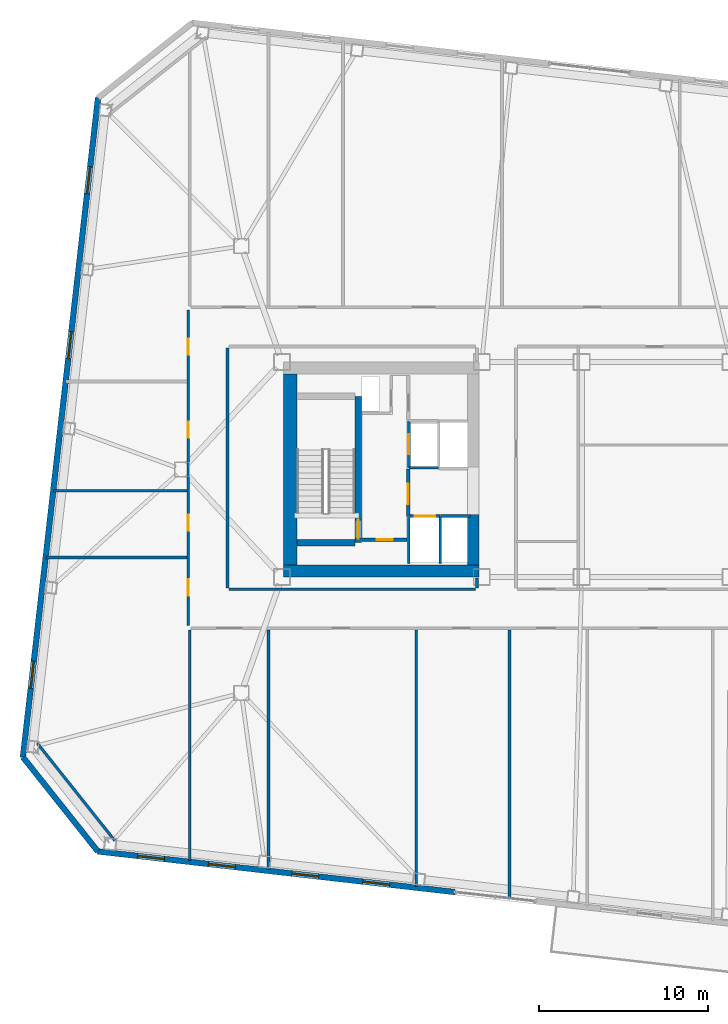
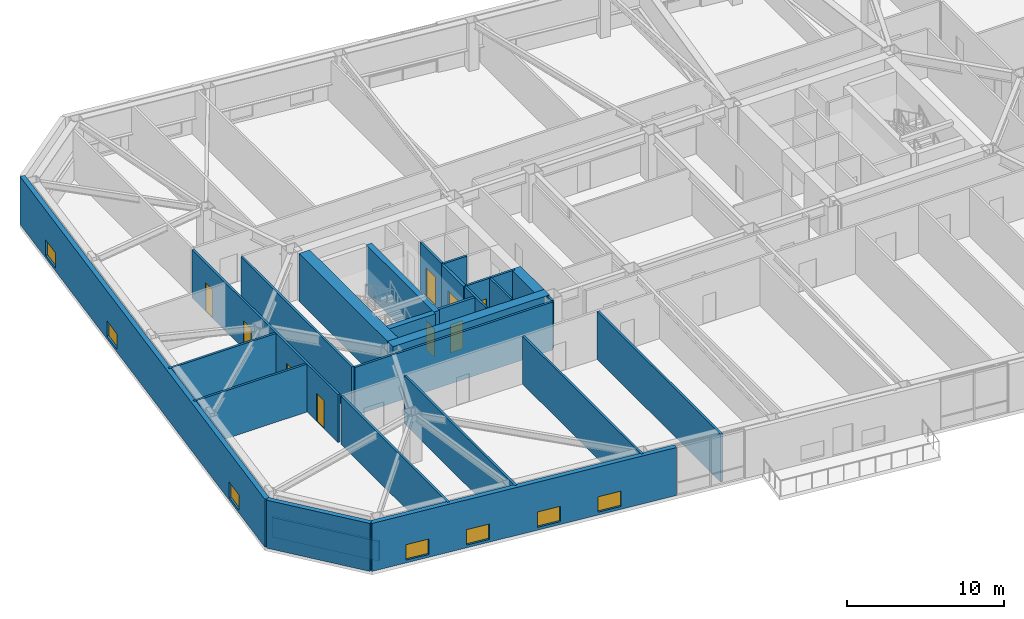
# One storey, part 11 of 21: 27 walls, 9 doors, 7 windows, 16 openings.
"""IFC4 building model written with IfcOpenShell, lengths in metres."""

from ifc_helpers import new_model, si_unit, direction, frame, frame_2d, origin, place, context, subcontext, project, spatial, rectangle, extrude, material, layer, layer_set, type_object, element, fill, save


model = new_model("IFC4")

# Units and contexts
model_context = context("Model", 3, precision=1e-05, world=origin(), true_north=direction((0.0, 1.0)))
body_context = subcontext(model_context, "Body", "Model", "MODEL_VIEW")
ifc_project = project(units=[si_unit("LENGTHUNIT", "METRE"), si_unit("AREAUNIT", "SQUARE_METRE"), si_unit("VOLUMEUNIT", "CUBIC_METRE"), si_unit("PLANEANGLEUNIT", "RADIAN"), si_unit("MASSUNIT", "GRAM", prefix="KILO")], contexts=[model_context])

# Site, building, storey
site_placement = place(None, origin())
site = spatial("IfcSite", under=ifc_project, at=site_placement, CompositionType="ELEMENT")
building_placement = place(site_placement, origin())
building = spatial("IfcBuilding", under=site, at=building_placement, Name="Tavrogorsk Clinical Tower", CompositionType="ELEMENT")
storey_placement = place(building_placement, frame((0.0, 0.0, 109.39990234375)))
storey = spatial("IfcBuildingStorey", under=building, at=storey_placement, Name="L24", CompositionType="ELEMENT", Elevation=109.39990234375)

# Wall, opening, door
ifc_material_1 = material(Name="Concrete B60", Category="concrete")
ifc_layer_1 = layer(ifc_material_1, 0.199951171875)
ifc_layer_set_1 = layer_set([ifc_layer_1], Name="Concrete B60")
wall_type_1 = type_object("IfcWallType", Name="CoreFireWall_200", PredefinedType="SOLIDWALL", material=ifc_layer_set_1)
wall_1_placement = place(storey_placement, frame((-17.3798828125, -4.139892578125, 0.0), z_axis=(0.0, 0.0, 1.0), x_axis=(1.0, 0.0, 0.0)))
wall_1 = element("IfcWall", 1, at=wall_1_placement, inside=storey, type_object=wall_type_1, Name="L24 Core West South Core Room Fire Wall", PredefinedType="SOLIDWALL", context=body_context, shape_type="SweptSolid", body=[
    extrude(rectangle(XDim=2.659912109375, YDim=0.199951171875, at=frame_2d((1.330078125, 0.0))), origin(), (0.0, 0.0, 1.0), 3.739990234375),
])
opening_1_placement = place(wall_1_placement, frame((0.8798828125, 0.0, 0.0)))
opening_1 = element("IfcOpeningElement", 2, at=opening_1_placement, cuts=wall_1, Name="Opening ID-02", PredefinedType="OPENING", context=body_context, shape_type="SweptSolid", body=[
    extrude(rectangle(XDim=0.949951171875, YDim=2.199951171875, at=frame_2d((0.47509765625, 1.10009765625))), frame((0.0, 0.10986328125, 0.0), z_axis=(0.0, -1.0, 0.0), x_axis=(1.0, 0.0, 0.0)), (0.0, 0.0, 1.0), 0.219970703125),
])
ifc_material_2 = material(Name="Laminated timber leaf on aluminium frame", Category="wood")
door_type_1 = type_object("IfcDoorType", Name="InteriorDoor_ID02_950", OperationType="NOTDEFINED", PredefinedType="DOOR", material=ifc_material_2)
door_1_placement = place(opening_1_placement, origin())
door_1 = element("IfcDoor", 3, at=door_1_placement, inside=storey, type_object=door_type_1, Name="L24 Core West South Core Room Door", OperationType="SINGLE_SWING_RIGHT", OverallHeight=2.199951171875, OverallWidth=0.949951171875, PredefinedType="DOOR", context=body_context, shape_type="SweptSolid", body=[
    extrude(rectangle(XDim=0.949951171875, YDim=2.199951171875, at=frame_2d((0.47509765625, 1.10009765625))), frame((0.0, 0.02490234375, 0.0), z_axis=(0.0, -1.0, 0.0), x_axis=(1.0, 0.0, 0.0)), (0.0, 0.0, 1.0), 0.050048828125),
])
fill(opening_1, door_1)

wall_2_placement = place(storey_placement, frame((-14.639892578125, -2.780029296875, 0.0), z_axis=(0.0, 0.0, 1.0), x_axis=(0.0, 1.0, 0.0)))
wall_2 = element("IfcWall", 4, at=wall_2_placement, inside=storey, type_object=wall_type_1, Name="L24 Core West Firefighting Lobby Fire Wall", PredefinedType="SOLIDWALL", context=body_context, shape_type="SweptSolid", body=[
    extrude(rectangle(XDim=2.820068359375, YDim=0.199951171875, at=frame_2d((1.41015625, 0.0))), origin(), (0.0, 0.0, 1.0), 3.739990234375),
])
opening_2_placement = place(wall_2_placement, frame((0.72998046875, 0.0, 0.0)))
opening_2 = element("IfcOpeningElement", 5, at=opening_2_placement, cuts=wall_2, Name="Opening FD-01", PredefinedType="OPENING", context=body_context, shape_type="SweptSolid", body=[
    extrude(rectangle(XDim=1.199951171875, YDim=2.199951171875, at=frame_2d((0.60009765625, 1.10009765625))), frame((0.0, 0.10986328125, 0.0), z_axis=(0.0, -1.0, 0.0), x_axis=(1.0, 0.0, 0.0)), (0.0, 0.0, 1.0), 0.219970703125),
])
ifc_material_3 = material(Name="Galvanised steel fire-rated door assembly", Category="steel")
door_type_2 = type_object("IfcDoorType", Name="FireDoor_FD01_1200", OperationType="NOTDEFINED", PredefinedType="DOOR", material=ifc_material_3)
door_2_placement = place(opening_2_placement, origin())
door_2 = element("IfcDoor", 6, at=door_2_placement, inside=storey, type_object=door_type_2, Name="L24 Core West Firefighting Lobby Entry Door", OperationType="SINGLE_SWING_RIGHT", OverallHeight=2.199951171875, OverallWidth=1.199951171875, PredefinedType="DOOR", context=body_context, shape_type="SweptSolid", body=[
    extrude(rectangle(XDim=1.199951171875, YDim=2.199951171875, at=frame_2d((0.60009765625, 1.10009765625))), frame((0.0, 0.02490234375, 0.0), z_axis=(0.0, -1.0, 0.0), x_axis=(1.0, 0.0, 0.0)), (0.0, 0.0, 1.0), 0.050048828125),
])
fill(opening_2, door_2)

# Wall
ifc_material_4 = material(Name="Lightweight concrete blockwork B15", Category="masonry")
ifc_layer_2 = layer(ifc_material_4, 0.159912109375)
ifc_layer_set_2 = layer_set([ifc_layer_2], Name="Lightweight concrete blockwork B15")
wall_type_2 = type_object("IfcWallType", Name="PartitionWall_160", PredefinedType="PARTITIONING", material=ifc_layer_set_2)
wall_3_placement = place(storey_placement, frame((-36.555908203125, -16.161865234375, 0.0), z_axis=(0.0, 0.0, 1.0), x_axis=(0.622522641622, -0.782601789334, 0.0)))
element("IfcWall", 7, at=wall_3_placement, inside=storey, type_object=wall_type_2, Name="L24 Corner Exoskeleton Brace Furring Wall 4", PredefinedType="PARTITIONING", context=body_context, shape_type="SweptSolid", body=[
    extrude(rectangle(XDim=7.354248046875, YDim=0.159912109375, at=frame_2d((3.67724609375, 0.0))), origin(), (0.0, 0.0, 1.0), 1.53515625),
])

# Wall, openings, doors
wall_4_placement = place(storey_placement, frame((-27.6298828125, -9.215087890625, 0.0), z_axis=(0.0, 0.0, 1.0), x_axis=(0.0, 1.0, 0.0)))
wall_4 = element("IfcWall", 8, at=wall_4_placement, inside=storey, type_object=wall_type_2, Name="L24 Corridor Partition 01", PredefinedType="PARTITIONING", context=body_context, shape_type="SweptSolid", body=[
    extrude(rectangle(XDim=18.630126953125, YDim=0.159912109375, at=frame_2d((9.31494140625, 0.0))), origin(), (0.0, 0.0, 1.0), 3.739990234375),
])
opening_3_placement = place(wall_4_placement, frame((1.76904296875, 0.0, 0.0)))
opening_3 = element("IfcOpeningElement", 9, at=opening_3_placement, cuts=wall_4, Name="Opening ID-02", PredefinedType="OPENING", context=body_context, shape_type="SweptSolid", body=[
    extrude(rectangle(XDim=0.949951171875, YDim=2.199951171875, at=frame_2d((0.47509765625, 1.10009765625))), frame((0.0, 0.08984375, 0.0), z_axis=(0.0, -1.0, 0.0), x_axis=(1.0, 0.0, 0.0)), (0.0, 0.0, 1.0), 0.179931640625),
])
opening_4_placement = place(wall_4_placement, frame((5.60009765625, 0.0, 0.0)))
opening_4 = element("IfcOpeningElement", 10, at=opening_4_placement, cuts=wall_4, Name="Opening ID-02", PredefinedType="OPENING", context=body_context, shape_type="SweptSolid", body=[
    extrude(rectangle(XDim=0.949951171875, YDim=2.199951171875, at=frame_2d((0.47509765625, 1.10009765625))), frame((0.0, 0.08984375, 0.0), z_axis=(0.0, -1.0, 0.0), x_axis=(1.0, 0.0, 0.0)), (0.0, 0.0, 1.0), 0.179931640625),
])
opening_5_placement = place(wall_4_placement, frame((11.10009765625, 0.0, 0.0)))
opening_5 = element("IfcOpeningElement", 11, at=opening_5_placement, cuts=wall_4, Name="Opening ID-02", PredefinedType="OPENING", context=body_context, shape_type="SweptSolid", body=[
    extrude(rectangle(XDim=0.949951171875, YDim=2.199951171875, at=frame_2d((0.47509765625, 1.10009765625))), frame((0.0, 0.08984375, 0.0), z_axis=(0.0, -1.0, 0.0), x_axis=(1.0, 0.0, 0.0)), (0.0, 0.0, 1.0), 0.179931640625),
])
opening_6_placement = place(wall_4_placement, frame((15.98095703125, 0.0, 0.0)))
opening_6 = element("IfcOpeningElement", 12, at=opening_6_placement, cuts=wall_4, Name="Opening ID-02", PredefinedType="OPENING", context=body_context, shape_type="SweptSolid", body=[
    extrude(rectangle(XDim=0.949951171875, YDim=2.199951171875, at=frame_2d((0.47509765625, 1.10009765625))), frame((0.0, 0.08984375, 0.0), z_axis=(0.0, -1.0, 0.0), x_axis=(1.0, 0.0, 0.0)), (0.0, 0.0, 1.0), 0.179931640625),
])
door_3_placement = place(opening_3_placement, origin())
door_3 = element("IfcDoor", 13, at=door_3_placement, inside=storey, type_object=door_type_1, Name="L24 W Solarium Day Room & Lounge 1 Door", OperationType="SINGLE_SWING_RIGHT", OverallHeight=2.199951171875, OverallWidth=0.949951171875, PredefinedType="DOOR", context=body_context, shape_type="SweptSolid", body=[
    extrude(rectangle(XDim=0.949951171875, YDim=2.199951171875, at=frame_2d((0.47509765625, 1.10009765625))), frame((0.0, 0.02490234375, 0.0), z_axis=(0.0, -1.0, 0.0), x_axis=(1.0, 0.0, 0.0)), (0.0, 0.0, 1.0), 0.050048828125),
])
fill(opening_3, door_3)
door_4_placement = place(opening_4_placement, origin())
door_4 = element("IfcDoor", 14, at=door_4_placement, inside=storey, type_object=door_type_1, Name="L24 W Rehabilitation Therapy Suite 2 Door", OperationType="SINGLE_SWING_LEFT", OverallHeight=2.199951171875, OverallWidth=0.949951171875, PredefinedType="DOOR", context=body_context, shape_type="SweptSolid", body=[
    extrude(rectangle(XDim=0.949951171875, YDim=2.199951171875, at=frame_2d((0.47509765625, 1.10009765625))), frame((0.0, 0.02490234375, 0.0), z_axis=(0.0, -1.0, 0.0), x_axis=(1.0, 0.0, 0.0)), (0.0, 0.0, 1.0), 0.050048828125),
])
fill(opening_4, door_4)
door_5_placement = place(opening_5_placement, origin())
door_5 = element("IfcDoor", 15, at=door_5_placement, inside=storey, type_object=door_type_1, Name="L24 W Sub-Acute Observation Suite 3 Door", OperationType="SINGLE_SWING_RIGHT", OverallHeight=2.199951171875, OverallWidth=0.949951171875, PredefinedType="DOOR", context=body_context, shape_type="SweptSolid", body=[
    extrude(rectangle(XDim=0.949951171875, YDim=2.199951171875, at=frame_2d((0.47509765625, 1.10009765625))), frame((0.0, 0.02490234375, 0.0), z_axis=(0.0, -1.0, 0.0), x_axis=(1.0, 0.0, 0.0)), (0.0, 0.0, 1.0), 0.050048828125),
])
fill(opening_5, door_5)
door_6_placement = place(opening_6_placement, origin())
door_6 = element("IfcDoor", 16, at=door_6_placement, inside=storey, type_object=door_type_1, Name="L24 W Family Consultation Lounge 4 Door", OperationType="SINGLE_SWING_LEFT", OverallHeight=2.199951171875, OverallWidth=0.949951171875, PredefinedType="DOOR", context=body_context, shape_type="SweptSolid", body=[
    extrude(rectangle(XDim=0.949951171875, YDim=2.199951171875, at=frame_2d((0.47509765625, 1.10009765625))), frame((0.0, 0.02490234375, 0.0), z_axis=(0.0, -1.0, 0.0), x_axis=(1.0, 0.0, 0.0)), (0.0, 0.0, 1.0), 0.050048828125),
])
fill(opening_6, door_6)

# Walls
wall_5_placement = place(storey_placement, frame((-10.580078125, -6.985107421875, 0.0), z_axis=(0.0, 0.0, 1.0), x_axis=(0.0, 1.0, 0.0)))
element("IfcWall", 17, at=wall_5_placement, inside=storey, type_object=wall_type_2, Name="L24 Corridor Partition 14", PredefinedType="PARTITIONING", context=body_context, shape_type="SweptSolid", body=[
    extrude(rectangle(XDim=0.565185546875, YDim=0.159912109375, at=frame_2d((0.28271484375, 0.0))), origin(), (0.0, 0.0, 1.0), 3.739990234375),
])
wall_6_placement = place(storey_placement, frame((-25.320068359375, 7.18505859375, 0.0), z_axis=(0.0, 0.0, 1.0), x_axis=(0.0, -1.0, 0.0)))
element("IfcWall", 18, at=wall_6_placement, inside=storey, type_object=wall_type_2, Name="L24 Corridor Partition 17", PredefinedType="PARTITIONING", context=body_context, shape_type="SweptSolid", body=[
    extrude(rectangle(XDim=14.170166015625, YDim=0.159912109375, at=frame_2d((7.0849609375, 0.0))), origin(), (0.0, 0.0, 1.0), 3.739990234375),
])
wall_7_placement = place(storey_placement, frame((-25.235107421875, -7.070068359375, 0.0), z_axis=(0.0, 0.0, 1.0), x_axis=(1.0, 0.0, 0.0)))
element("IfcWall", 19, at=wall_7_placement, inside=storey, type_object=wall_type_2, Name="L24 Corridor Partition 18", PredefinedType="PARTITIONING", context=body_context, shape_type="SweptSolid", body=[
    extrude(rectangle(XDim=14.570068359375, YDim=0.159912109375, at=frame_2d((7.28515625, 0.0))), origin(), (0.0, 0.0, 1.0), 3.739990234375),
])
wall_8_placement = place(storey_placement, frame((-27.550048828125, -23.1064453125, 0.0), z_axis=(0.0, 0.0, 1.0), x_axis=(0.0, 1.0, 0.0)))
element("IfcWall", 20, at=wall_8_placement, inside=storey, type_object=wall_type_2, Name="L24 SW Wing Closure Partition", PredefinedType="PARTITIONING", context=body_context, shape_type="SweptSolid", body=[
    extrude(rectangle(XDim=13.641357421875, YDim=0.159912109375, at=frame_2d((6.82080078125, 0.0))), origin(), (0.0, 0.0, 1.0), 3.739990234375),
])
wall_9_placement = place(storey_placement, frame((-22.89990234375, -23.63623046875, 0.0), z_axis=(0.0, 0.0, 1.0), x_axis=(0.0, 1.0, 0.0)))
element("IfcWall", 21, at=wall_9_placement, inside=storey, type_object=wall_type_2, Name="L24 South Room Partition 1", PredefinedType="PARTITIONING", context=body_context, shape_type="SweptSolid", body=[
    extrude(rectangle(XDim=14.171142578125, YDim=0.159912109375, at=frame_2d((7.08544921875, 0.0))), origin(), (0.0, 0.0, 1.0), 3.739990234375),
])
wall_10_placement = place(storey_placement, frame((-14.159912109375, -24.632080078125, 0.0), z_axis=(0.0, 0.0, 1.0), x_axis=(0.0, 1.0, 0.0)))
element("IfcWall", 22, at=wall_10_placement, inside=storey, type_object=wall_type_2, Name="L24 South Room Partition 2", PredefinedType="PARTITIONING", context=body_context, shape_type="SweptSolid", body=[
    extrude(rectangle(XDim=15.1669921875, YDim=0.159912109375, at=frame_2d((7.58349609375, 0.0))), origin(), (0.0, 0.0, 1.0), 3.739990234375),
])
wall_11_placement = place(storey_placement, frame((-8.659912109375, -25.2587890625, 0.0), z_axis=(0.0, 0.0, 1.0), x_axis=(0.0, 1.0, 0.0)))
element("IfcWall", 23, at=wall_11_placement, inside=storey, type_object=wall_type_2, Name="L24 South Sub-Partition 3", PredefinedType="PARTITIONING", context=body_context, shape_type="SweptSolid", body=[
    extrude(rectangle(XDim=15.793701171875, YDim=0.159912109375, at=frame_2d((7.89697265625, 0.0))), origin(), (0.0, 0.0, 1.0), 3.739990234375),
])
wall_12_placement = place(storey_placement, frame((-36.0419921875, -5.199951171875, 0.0), z_axis=(0.0, 0.0, 1.0), x_axis=(1.0, 0.0, 0.0)))
element("IfcWall", 24, at=wall_12_placement, inside=storey, type_object=wall_type_2, Name="L24 W Wing Divider 1", PredefinedType="PARTITIONING", context=body_context, shape_type="SweptSolid", body=[
    extrude(rectangle(XDim=8.326904296875, YDim=0.159912109375, at=frame_2d((4.16357421875, 0.0))), origin(), (0.0, 0.0, 1.0), 3.739990234375),
])
wall_13_placement = place(storey_placement, frame((-35.592041015625, -1.25, 0.0), z_axis=(0.0, 0.0, 1.0), x_axis=(1.0, 0.0, 0.0)))
element("IfcWall", 25, at=wall_13_placement, inside=storey, type_object=wall_type_2, Name="L24 W Wing Divider 2", PredefinedType="PARTITIONING", context=body_context, shape_type="SweptSolid", body=[
    extrude(rectangle(XDim=7.876953125, YDim=0.159912109375, at=frame_2d((3.9384765625, 0.0))), origin(), (0.0, 0.0, 1.0), 3.739990234375),
])

# Wall, openings, windows
ifc_material_5 = material(Name="Precast concrete B45 with limestone cladding", Category="masonry")
ifc_layer_3 = layer(ifc_material_5, 0.340087890625)
ifc_layer_set_3 = layer_set([ifc_layer_3], Name="Precast concrete B45 with limestone cladding")
wall_type_3 = type_object("IfcWallType", Name="PrecastLimestoneWall_340", PredefinedType="STANDARD", material=ifc_layer_set_3)
wall_14_placement = place(storey_placement, frame((-32.977294921875, -22.55859375, 0.0), z_axis=(0.0, 0.0, 1.0), x_axis=(0.993571214605, -0.113208840243, 0.0)))
wall_14 = element("IfcWall", 26, at=wall_14_placement, inside=storey, type_object=wall_type_3, Name="L24 S Limestone Facade Wall 1", PredefinedType="STANDARD", context=body_context, shape_type="SweptSolid", body=[
    extrude(rectangle(XDim=21.22265625, YDim=0.340087890625, at=frame_2d((10.611328125, 0.0))), origin(), (0.0, 0.0, 1.0), 3.739990234375),
])
opening_7_placement = place(wall_14_placement, frame((2.35791015625, 0.0, 0.219970703125)))
opening_7 = element("IfcOpeningElement", 27, at=opening_7_placement, cuts=wall_14, Name="Opening WN-09", PredefinedType="OPENING", context=body_context, shape_type="SweptSolid", body=[
    extrude(rectangle(XDim=1.60009765625, YDim=1.199951171875, at=frame_2d((0.800048828125, 0.60009765625))), frame((0.0, 0.179931640625, 0.0), z_axis=(0.0, -1.0, 0.0), x_axis=(1.0, 0.0, 0.0)), (0.0, 0.0, 1.0), 0.360107421875),
])
opening_8_placement = place(wall_14_placement, frame((6.579345703125, 0.0, 0.219970703125)))
opening_8 = element("IfcOpeningElement", 28, at=opening_8_placement, cuts=wall_14, Name="Opening WN-09", PredefinedType="OPENING", context=body_context, shape_type="SweptSolid", body=[
    extrude(rectangle(XDim=1.60009765625, YDim=1.199951171875, at=frame_2d((0.800048828125, 0.60009765625))), frame((0.0, 0.179931640625, 0.0), z_axis=(0.0, -1.0, 0.0), x_axis=(1.0, 0.0, 0.0)), (0.0, 0.0, 1.0), 0.360107421875),
])
opening_9_placement = place(wall_14_placement, frame((11.534912109375, 0.0, 0.219970703125)))
opening_9 = element("IfcOpeningElement", 29, at=opening_9_placement, cuts=wall_14, Name="Opening WN-09", PredefinedType="OPENING", context=body_context, shape_type="SweptSolid", body=[
    extrude(rectangle(XDim=1.60009765625, YDim=1.199951171875, at=frame_2d((0.800048828125, 0.60009765625))), frame((0.0, 0.179931640625, 0.0), z_axis=(0.0, -1.0, 0.0), x_axis=(1.0, 0.0, 0.0)), (0.0, 0.0, 1.0), 0.360107421875),
])
opening_10_placement = place(wall_14_placement, frame((15.75634765625, 0.0, 0.219970703125)))
opening_10 = element("IfcOpeningElement", 30, at=opening_10_placement, cuts=wall_14, Name="Opening WN-09", PredefinedType="OPENING", context=body_context, shape_type="SweptSolid", body=[
    extrude(rectangle(XDim=1.60009765625, YDim=1.199951171875, at=frame_2d((0.800048828125, 0.60009765625))), frame((0.0, 0.179931640625, 0.0), z_axis=(0.0, -1.0, 0.0), x_axis=(1.0, 0.0, 0.0)), (0.0, 0.0, 1.0), 0.360107421875),
])
ifc_material_6 = material(Name="Thermally broken aluminium frame and triple IGU", Category="aluminium")
window_type = type_object("IfcWindowType", Name="LowHeadTransWin_1600x1200", PartitioningType="DOUBLE_PANEL_VERTICAL", PredefinedType="WINDOW", material=ifc_material_6)
window_1_placement = place(opening_7_placement, origin())
window_1 = element("IfcWindow", 31, at=window_1_placement, inside=storey, type_object=window_type, Name="L24 S Chicago Window 01", OverallHeight=1.199951171875, OverallWidth=1.60009765625, PartitioningType="SINGLE_PANEL", PredefinedType="WINDOW", context=body_context, shape_type="SweptSolid", body=[
    extrude(rectangle(XDim=1.60009765625, YDim=1.199951171875, at=frame_2d((0.800048828125, 0.60009765625))), frame((0.0, 0.030029296875, 0.0), z_axis=(0.0, -1.0, 0.0), x_axis=(1.0, 0.0, 0.0)), (0.0, 0.0, 1.0), 0.06005859375),
])
fill(opening_7, window_1)
window_2_placement = place(opening_8_placement, origin())
window_2 = element("IfcWindow", 32, at=window_2_placement, inside=storey, type_object=window_type, Name="L24 S Chicago Window 02", OverallHeight=1.199951171875, OverallWidth=1.60009765625, PartitioningType="SINGLE_PANEL", PredefinedType="WINDOW", context=body_context, shape_type="SweptSolid", body=[
    extrude(rectangle(XDim=1.60009765625, YDim=1.199951171875, at=frame_2d((0.800048828125, 0.60009765625))), frame((0.0, 0.030029296875, 0.0), z_axis=(0.0, -1.0, 0.0), x_axis=(1.0, 0.0, 0.0)), (0.0, 0.0, 1.0), 0.06005859375),
])
fill(opening_8, window_2)
window_3_placement = place(opening_9_placement, origin())
window_3 = element("IfcWindow", 33, at=window_3_placement, inside=storey, type_object=window_type, Name="L24 S Chicago Window 03", OverallHeight=1.199951171875, OverallWidth=1.60009765625, PartitioningType="SINGLE_PANEL", PredefinedType="WINDOW", context=body_context, shape_type="SweptSolid", body=[
    extrude(rectangle(XDim=1.60009765625, YDim=1.199951171875, at=frame_2d((0.800048828125, 0.60009765625))), frame((0.0, 0.030029296875, 0.0), z_axis=(0.0, -1.0, 0.0), x_axis=(1.0, 0.0, 0.0)), (0.0, 0.0, 1.0), 0.06005859375),
])
fill(opening_9, window_3)
window_4_placement = place(opening_10_placement, origin())
window_4 = element("IfcWindow", 34, at=window_4_placement, inside=storey, type_object=window_type, Name="L24 S Chicago Window 04", OverallHeight=1.199951171875, OverallWidth=1.60009765625, PartitioningType="SINGLE_PANEL", PredefinedType="WINDOW", context=body_context, shape_type="SweptSolid", body=[
    extrude(rectangle(XDim=1.60009765625, YDim=1.199951171875, at=frame_2d((0.800048828125, 0.60009765625))), frame((0.0, 0.030029296875, 0.0), z_axis=(0.0, -1.0, 0.0), x_axis=(1.0, 0.0, 0.0)), (0.0, 0.0, 1.0), 0.06005859375),
])
fill(opening_10, window_4)

wall_15_placement = place(storey_placement, frame((-32.968017578125, 21.95654296875, 0.0), z_axis=(0.0, 0.0, 1.0), x_axis=(-0.113201605824, -0.993572038877, 0.0)))
wall_15 = element("IfcWall", 35, at=wall_15_placement, inside=storey, type_object=wall_type_3, Name="L24 W Pleated Limestone Wing Wall", PredefinedType="STANDARD", context=body_context, shape_type="SweptSolid", body=[
    extrude(rectangle(XDim=39.199951171875, YDim=0.340087890625, at=frame_2d((19.60009765625, 0.0))), origin(), (0.0, 0.0, 1.0), 3.739990234375),
])
opening_11_placement = place(wall_15_placement, frame((4.10009765625, 0.0, 0.219970703125)))
opening_11 = element("IfcOpeningElement", 36, at=opening_11_placement, cuts=wall_15, Name="Opening WN-09", PredefinedType="OPENING", context=body_context, shape_type="SweptSolid", body=[
    extrude(rectangle(XDim=1.60009765625, YDim=1.199951171875, at=frame_2d((0.800048828125, 0.60009765625))), frame((0.0, 0.179931640625, 0.0), z_axis=(0.0, -1.0, 0.0), x_axis=(1.0, 0.0, 0.0)), (0.0, 0.0, 1.0), 0.360107421875),
])
opening_12_placement = place(wall_15_placement, frame((13.89990234375, 0.0, 0.219970703125)))
opening_12 = element("IfcOpeningElement", 37, at=opening_12_placement, cuts=wall_15, Name="Opening WN-09", PredefinedType="OPENING", context=body_context, shape_type="SweptSolid", body=[
    extrude(rectangle(XDim=1.60009765625, YDim=1.199951171875, at=frame_2d((0.800048828125, 0.60009765625))), frame((0.0, 0.179931640625, 0.0), z_axis=(0.0, -1.0, 0.0), x_axis=(1.0, 0.0, 0.0)), (0.0, 0.0, 1.0), 0.360107421875),
])
opening_13_placement = place(wall_15_placement, frame((33.5, 0.0, 0.219970703125)))
opening_13 = element("IfcOpeningElement", 38, at=opening_13_placement, cuts=wall_15, Name="Opening WN-09", PredefinedType="OPENING", context=body_context, shape_type="SweptSolid", body=[
    extrude(rectangle(XDim=1.60009765625, YDim=1.199951171875, at=frame_2d((0.800048828125, 0.60009765625))), frame((0.0, 0.179931640625, 0.0), z_axis=(0.0, -1.0, 0.0), x_axis=(1.0, 0.0, 0.0)), (0.0, 0.0, 1.0), 0.360107421875),
])
window_5_placement = place(opening_11_placement, origin())
window_5 = element("IfcWindow", 39, at=window_5_placement, inside=storey, type_object=window_type, Name="L24 W Pleat Slot Window 1", OverallHeight=1.199951171875, OverallWidth=1.60009765625, PartitioningType="SINGLE_PANEL", PredefinedType="WINDOW", context=body_context, shape_type="SweptSolid", body=[
    extrude(rectangle(XDim=1.60009765625, YDim=1.199951171875, at=frame_2d((0.800048828125, 0.60009765625))), frame((0.0, 0.030029296875, 0.0), z_axis=(0.0, -1.0, 0.0), x_axis=(1.0, 0.0, 0.0)), (0.0, 0.0, 1.0), 0.06005859375),
])
fill(opening_11, window_5)
window_6_placement = place(opening_12_placement, origin())
window_6 = element("IfcWindow", 40, at=window_6_placement, inside=storey, type_object=window_type, Name="L24 W Pleat Slot Window 2", OverallHeight=1.199951171875, OverallWidth=1.60009765625, PartitioningType="SINGLE_PANEL", PredefinedType="WINDOW", context=body_context, shape_type="SweptSolid", body=[
    extrude(rectangle(XDim=1.60009765625, YDim=1.199951171875, at=frame_2d((0.800048828125, 0.60009765625))), frame((0.0, 0.030029296875, 0.0), z_axis=(0.0, -1.0, 0.0), x_axis=(1.0, 0.0, 0.0)), (0.0, 0.0, 1.0), 0.06005859375),
])
fill(opening_12, window_6)
window_7_placement = place(opening_13_placement, origin())
window_7 = element("IfcWindow", 41, at=window_7_placement, inside=storey, type_object=window_type, Name="L24 W Pleat Slot Window 4", OverallHeight=1.199951171875, OverallWidth=1.60009765625, PartitioningType="SINGLE_PANEL", PredefinedType="WINDOW", context=body_context, shape_type="SweptSolid", body=[
    extrude(rectangle(XDim=1.60009765625, YDim=1.199951171875, at=frame_2d((0.800048828125, 0.60009765625))), frame((0.0, 0.030029296875, 0.0), z_axis=(0.0, -1.0, 0.0), x_axis=(1.0, 0.0, 0.0)), (0.0, 0.0, 1.0), 0.06005859375),
])
fill(opening_13, window_7)

# Wall
wall_16_placement = place(storey_placement, frame((-37.405517578125, -16.991455078125, 0.0), z_axis=(0.0, 0.0, 1.0), x_axis=(0.622507800567, -0.78261359446, 0.0)))
element("IfcWall", 42, at=wall_16_placement, inside=storey, type_object=wall_type_3, Name="L24 Chamfered Corner Wall 4", PredefinedType="STANDARD", context=body_context, shape_type="SweptSolid", body=[
    extrude(rectangle(XDim=7.113525390625, YDim=0.340087890625, at=frame_2d((3.556640625, 0.0))), origin(), (0.0, 0.0, 1.0), 3.739990234375),
])

# Wall, opening, door
ifc_material_7 = material(Name="Lightweight concrete blockwork B25", Category="masonry")
ifc_layer_4 = layer(ifc_material_7, 0.159912109375)
ifc_layer_set_4 = layer_set([ifc_layer_4], Name="Lightweight concrete blockwork B25")
wall_type_4 = type_object("IfcWallType", Name="ShaftWall_160", PredefinedType="PARTITIONING", material=ifc_layer_set_4)
wall_17_placement = place(storey_placement, frame((-14.60009765625, 0.1201171875, 0.0), z_axis=(0.0, 0.0, 1.0), x_axis=(0.0, 1.0, 0.0)))
wall_17 = element("IfcWall", 43, at=wall_17_placement, inside=storey, type_object=wall_type_4, Name="L24 FFL-W Firefighting Lift Front Wall", PredefinedType="PARTITIONING", context=body_context, shape_type="SweptSolid", body=[
    extrude(rectangle(XDim=2.739990234375, YDim=0.159912109375, at=frame_2d((1.3701171875, 0.0))), origin(), (0.0, 0.0, 1.0), 3.739990234375),
])
opening_14_placement = place(wall_17_placement, frame((0.77001953125, 0.0, 0.0)))
opening_14 = element("IfcOpeningElement", 44, at=opening_14_placement, cuts=wall_17, Name="Opening LD", PredefinedType="OPENING", context=body_context, shape_type="SweptSolid", body=[
    extrude(rectangle(XDim=1.199951171875, YDim=2.199951171875, at=frame_2d((0.60009765625, 1.10009765625))), frame((0.0, 0.08984375, 0.0), z_axis=(0.0, -1.0, 0.0), x_axis=(1.0, 0.0, 0.0)), (0.0, 0.0, 1.0), 0.179931640625),
])
ifc_material_8 = material(Name="Brushed stainless steel AISI 304 sliding doors", Category="steel")
door_type_3 = type_object("IfcDoorType", Name="LiftLandingDoor_LD_1200", OperationType="SLIDING_TO_LEFT", PredefinedType="DOOR", material=ifc_material_8)
door_7_placement = place(opening_14_placement, origin())
door_7 = element("IfcDoor", 45, at=door_7_placement, inside=storey, type_object=door_type_3, Name="L24 FFL-W Sliding Lift Landing Door", OperationType="SLIDING_TO_LEFT", OverallHeight=2.199951171875, OverallWidth=1.199951171875, PredefinedType="DOOR", context=body_context, shape_type="SweptSolid", body=[
    extrude(rectangle(XDim=1.199951171875, YDim=2.199951171875, at=frame_2d((0.60009765625, 1.10009765625))), frame((0.0, 0.02490234375, 0.0), z_axis=(0.0, -1.0, 0.0), x_axis=(1.0, 0.0, 0.0)), (0.0, 0.0, 1.0), 0.050048828125),
])
fill(opening_14, door_7)

# Wall
wall_18_placement = place(storey_placement, frame((-14.60009765625, 0.10009765625, 0.0), z_axis=(0.0, 0.0, 1.0), x_axis=(1.0, 0.0, 0.0)))
element("IfcWall", 46, at=wall_18_placement, inside=storey, type_object=wall_type_4, Name="L24 FFL-W Shaft South Wall", PredefinedType="PARTITIONING", context=body_context, shape_type="SweptSolid", body=[
    extrude(rectangle(XDim=1.760009765625, YDim=0.159912109375, at=frame_2d((0.8798828125, 0.0))), origin(), (0.0, 0.0, 1.0), 3.739990234375),
])

# Wall, opening, door
wall_19_placement = place(storey_placement, frame((-14.530029296875, -2.75, 0.0), z_axis=(0.0, 0.0, 1.0), x_axis=(1.0, 0.0, 0.0)))
wall_19 = element("IfcWall", 47, at=wall_19_placement, inside=storey, type_object=wall_type_4, Name="L24 LP-L1 Lift Shaft Portal Wall", PredefinedType="PARTITIONING", context=body_context, shape_type="SweptSolid", body=[
    extrude(rectangle(XDim=1.760009765625, YDim=0.159912109375, at=frame_2d((0.8798828125, 0.0))), origin(), (0.0, 0.0, 1.0), 3.739990234375),
])
opening_15_placement = place(wall_19_placement, frame((0.280029296875, 0.0, 0.0)))
opening_15 = element("IfcOpeningElement", 48, at=opening_15_placement, cuts=wall_19, Name="Opening LD", PredefinedType="OPENING", context=body_context, shape_type="SweptSolid", body=[
    extrude(rectangle(XDim=1.199951171875, YDim=2.199951171875, at=frame_2d((0.60009765625, 1.10009765625))), frame((0.0, 0.08984375, 0.0), z_axis=(0.0, -1.0, 0.0), x_axis=(1.0, 0.0, 0.0)), (0.0, 0.0, 1.0), 0.179931640625),
])
door_8_placement = place(opening_15_placement, origin())
door_8 = element("IfcDoor", 49, at=door_8_placement, inside=storey, type_object=door_type_3, Name="L24 LP-L1 Sliding Lift Landing Door", OperationType="SLIDING_TO_LEFT", OverallHeight=2.199951171875, OverallWidth=1.199951171875, PredefinedType="DOOR", context=body_context, shape_type="SweptSolid", body=[
    extrude(rectangle(XDim=1.199951171875, YDim=2.199951171875, at=frame_2d((0.60009765625, 1.10009765625))), frame((0.0, 0.02490234375, 0.0), z_axis=(0.0, -1.0, 0.0), x_axis=(1.0, 0.0, 0.0)), (0.0, 0.0, 1.0), 0.050048828125),
])
fill(opening_15, door_8)

# Walls
for number, where, z_axis, x_axis, name in (
    (50, (-12.75, -5.5400390625, 0.0), (0.0, 0.0, 1.0), (0.0, 1.0, 0.0), "L24 LP-L1 Lift Hoistway Divider Wall"),
    (51, (-14.610107421875, -5.5400390625, 0.0), (0.0, 0.0, 1.0), (0.0, 1.0, 0.0), "L24 LP-L1 Lift Hoistway Outer Cheek Wall"),
):
    element("IfcWall", number, at=place(storey_placement, frame(where, z_axis=z_axis, x_axis=x_axis)), inside=storey, type_object=wall_type_4, Name=name, PredefinedType="PARTITIONING", context=body_context, shape_type="SweptSolid", body=[
        extrude(rectangle(XDim=2.699951171875, YDim=0.159912109375, at=frame_2d((1.35009765625, 0.0))), origin(), (0.0, 0.0, 1.0), 3.739990234375),
    ])
wall_20_placement = place(storey_placement, frame((-12.72998046875, -2.75, 0.0), z_axis=(0.0, 0.0, 1.0), x_axis=(1.0, 0.0, 0.0)))
element("IfcWall", 52, at=wall_20_placement, inside=storey, type_object=wall_type_4, Name="L24 LP-M1 Lift Shaft Portal Wall", PredefinedType="PARTITIONING", context=body_context, shape_type="SweptSolid", body=[
    extrude(rectangle(XDim=1.760009765625, YDim=0.159912109375, at=frame_2d((0.8798828125, 0.0))), origin(), (0.0, 0.0, 1.0), 3.739990234375),
])

# Wall, opening, door
ifc_material_9 = material(Name="Concrete B80", Category="concrete")
ifc_layer_5 = layer(ifc_material_9, 0.39990234375)
ifc_layer_set_5 = layer_set([ifc_layer_5], Name="Concrete B80")
wall_type_5 = type_object("IfcWallType", Name="ShearWall_400", PredefinedType="SHEAR", material=ifc_layer_set_5)
wall_21_placement = place(storey_placement, frame((-17.60009765625, -4.324951171875, 0.0), z_axis=(0.0, 0.0, 1.0), x_axis=(0.0, 1.0, 0.0)))
wall_21 = element("IfcWall", 53, at=wall_21_placement, inside=storey, type_object=wall_type_5, Name="L24 Core West Stair Shaft Inner Shear Wall", PredefinedType="SHEAR", context=body_context, shape_type="SweptSolid", body=[
    extrude(rectangle(XDim=8.64990234375, YDim=0.39990234375, at=frame_2d((4.324951171875, 0.0))), origin(), (0.0, 0.0, 1.0), 3.739990234375),
])
opening_16_placement = place(wall_21_placement, frame((0.25, 0.0, 0.0)))
opening_16 = element("IfcOpeningElement", 54, at=opening_16_placement, cuts=wall_21, Name="Opening SD-01", PredefinedType="OPENING", context=body_context, shape_type="SweptSolid", body=[
    extrude(rectangle(XDim=1.10009765625, YDim=2.199951171875, at=frame_2d((0.550048828125, 1.10009765625))), frame((0.0, 0.2099609375, 0.0), z_axis=(0.0, -1.0, 0.0), x_axis=(1.0, 0.0, 0.0)), (0.0, 0.0, 1.0), 0.419921875),
])
ifc_material_10 = material(Name="Galvanised steel smoke-tight fire door assembly", Category="steel")
door_type_4 = type_object("IfcDoorType", Name="StairFireDoor_SD01_1100", OperationType="NOTDEFINED", PredefinedType="DOOR", material=ifc_material_10)
door_9_placement = place(opening_16_placement, origin())
door_9 = element("IfcDoor", 55, at=door_9_placement, inside=storey, type_object=door_type_4, Name="L24 ST-W Exit Stair Door", OperationType="SINGLE_SWING_LEFT", OverallHeight=2.199951171875, OverallWidth=1.10009765625, PredefinedType="DOOR", context=body_context, shape_type="SweptSolid", body=[
    extrude(rectangle(XDim=1.10009765625, YDim=2.199951171875, at=frame_2d((0.550048828125, 1.10009765625))), frame((0.0, 0.02490234375, 0.0), z_axis=(0.0, -1.0, 0.0), x_axis=(1.0, 0.0, 0.0)), (0.0, 0.0, 1.0), 0.050048828125),
])
fill(opening_16, door_9)

# Walls
wall_22_placement = place(storey_placement, frame((-21.199951171875, -4.324951171875, 0.0), z_axis=(0.0, 0.0, 1.0), x_axis=(1.0, 0.0, 0.0)))
element("IfcWall", 56, at=wall_22_placement, inside=storey, type_object=wall_type_5, Name="L24 Core West Stair Shaft South Shear Wall", PredefinedType="SHEAR", context=body_context, shape_type="SweptSolid", body=[
    extrude(rectangle(XDim=3.39990234375, YDim=0.39990234375, at=frame_2d((1.699951171875, 0.0))), origin(), (0.0, 0.0, 1.0), 3.739990234375),
])
ifc_material_11 = material(Name="Concrete B80", Category="concrete")
ifc_layer_6 = layer(ifc_material_11, 0.699951171875)
ifc_layer_set_6 = layer_set([ifc_layer_6], Name="Concrete B80")
wall_type_6 = type_object("IfcWallType", Name="ShearWall_700", PredefinedType="SHEAR", material=ifc_layer_set_6)
wall_23_placement = place(storey_placement, frame((-22.0, -6.0, 0.0), z_axis=(0.0, 0.0, 1.0), x_axis=(1.0, 0.0, 0.0)))
element("IfcWall", 57, at=wall_23_placement, inside=storey, type_object=wall_type_6, Name="L24 Core West South Shear Wall", PredefinedType="SHEAR", context=body_context, shape_type="SweptSolid", body=[
    extrude(rectangle(XDim=11.550048828125, YDim=0.699951171875, at=frame_2d((5.77490234375, 0.0))), origin(), (0.0, 0.0, 1.0), 3.739990234375),
])
wall_24_placement = place(storey_placement, frame((-10.800048828125, -5.64990234375, 0.0), z_axis=(0.0, 0.0, 1.0), x_axis=(0.0, 1.0, 0.0)))
element("IfcWall", 58, at=wall_24_placement, inside=storey, type_object=wall_type_6, Name="L24 Core West Inner South Pier", PredefinedType="SHEAR", context=body_context, shape_type="SweptSolid", body=[
    extrude(rectangle(XDim=3.0, YDim=0.699951171875, at=frame_2d((1.5, 0.0))), origin(), (0.0, 0.0, 1.0), 3.739990234375),
])
ifc_material_12 = material(Name="Concrete B80", Category="concrete")
ifc_layer_7 = layer(ifc_material_12, 0.800048828125)
ifc_layer_set_7 = layer_set([ifc_layer_7], Name="Concrete B80")
wall_type_7 = type_object("IfcWallType", Name="ShearWall_800", PredefinedType="SHEAR", material=ifc_layer_set_7)
wall_25_placement = place(storey_placement, frame((-21.60009765625, -5.64990234375, 0.0), z_axis=(0.0, 0.0, 1.0), x_axis=(0.0, 1.0, 0.0)))
element("IfcWall", 59, at=wall_25_placement, inside=storey, type_object=wall_type_7, Name="L24 Core West End Shear Wall", PredefinedType="SHEAR", context=body_context, shape_type="SweptSolid", body=[
    extrude(rectangle(XDim=11.2998046875, YDim=0.800048828125, at=frame_2d((5.64990234375, 0.0))), origin(), (0.0, 0.0, 1.0), 3.739990234375),
])

save(model, "model.ifc")
